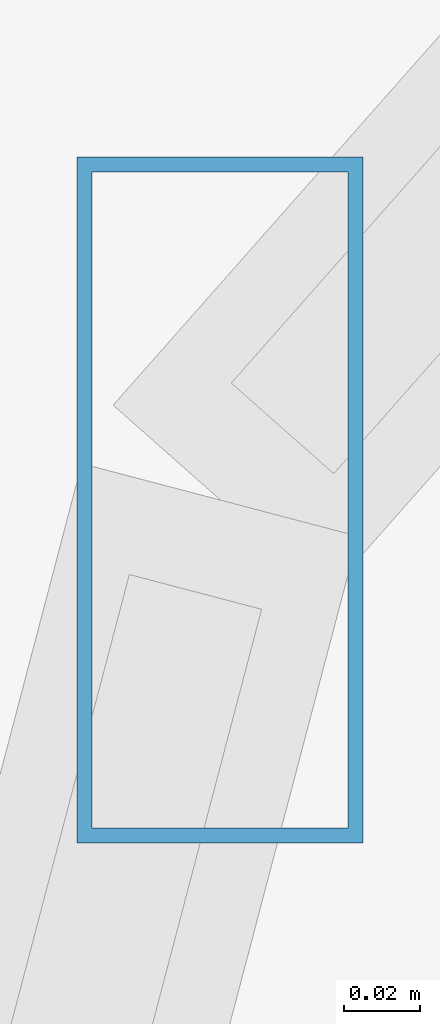
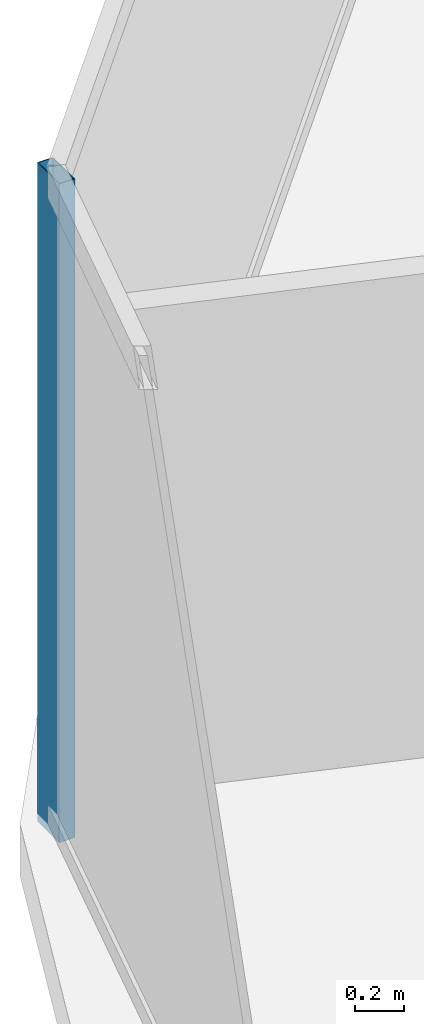
# One storey, part 9 of 33: 1 member, 1 element without a shape of its own.
"""IFC4 building model written with IfcOpenShell, lengths in metres."""

from ifc_helpers import new_model, si_unit, direction, frame, origin, origin_2d, place, context, subcontext, project, spatial, hollow_rectangle, extrude, material, material_profile, profile_set, type_object, element, aggregate, save


model = new_model("IFC4")

# Units and contexts
model_context = context("Model", 3, precision=1e-05, world=origin(), true_north=direction((0.0, 1.0)))
body_context = subcontext(model_context, "Body", "Model", "MODEL_VIEW")
ifc_project = project(units=[si_unit("LENGTHUNIT", "METRE"), si_unit("AREAUNIT", "SQUARE_METRE"), si_unit("VOLUMEUNIT", "CUBIC_METRE"), si_unit("PLANEANGLEUNIT", "RADIAN"), si_unit("MASSUNIT", "GRAM", prefix="KILO")], contexts=[model_context])

# Site, building, storey
site_placement = place(None, origin())
site = spatial("IfcSite", under=ifc_project, at=site_placement, CompositionType="ELEMENT")
building_placement = place(site_placement, origin())
building = spatial("IfcBuilding", under=site, at=building_placement, Name="Vorneva Point Tower", CompositionType="ELEMENT")
storey_placement = place(building_placement, frame((0.0, 0.0, 59.0)))
storey = spatial("IfcBuildingStorey", under=building, at=storey_placement, Name="L15", CompositionType="ELEMENT", Elevation=59.0)

# Curtain wall, member
ifc_material = material(Name="Pale anodised aluminium", Category="aluminium")
curtain_wall_type = type_object("IfcCurtainWallType", Name="CW-HTL-SYS", PredefinedType="NOTDEFINED", material=ifc_material)
curtain_wall_placement = place(storey_placement, origin())
curtain_wall = element("IfcCurtainWall", 1, at=curtain_wall_placement, inside=storey, type_object=curtain_wall_type, Name="L15 Unitised Curtain Wall CW-L15-R03", PredefinedType="NOTDEFINED")
ifc_material_profile = material_profile(ifc_material, hollow_rectangle(XDim=0.074951171875, YDim=0.179931640625, WallThickness=0.00390625, at=origin_2d()), Name="AL-MUL 180x75x4")
ifc_profile_set = profile_set([ifc_material_profile], Name="Pale anodised aluminium")
member_type = type_object("IfcMemberType", Name="CW-MUL-180", PredefinedType="MULLION", material=ifc_profile_set)
member_placement = place(storey_placement, frame((10.699462890625, 34.552978515625, -0.0400390625), z_axis=(0.0, 0.0, 1.0), x_axis=(1.0, 0.0, 0.0)))
member = element("IfcMember", 2, at=member_placement, type_object=member_type, Name="CW-L15-R03 Mullion 02", PredefinedType="MULLION", context=body_context, shape_type="SweptSolid", body=[
    extrude(hollow_rectangle(XDim=0.074951171875, YDim=0.179931640625, WallThickness=0.00390625, at=origin_2d()), origin(), (0.0, 0.0, 1.0), 3.31005859375),
])
aggregate(curtain_wall, [member])

save(model, "model.ifc")
